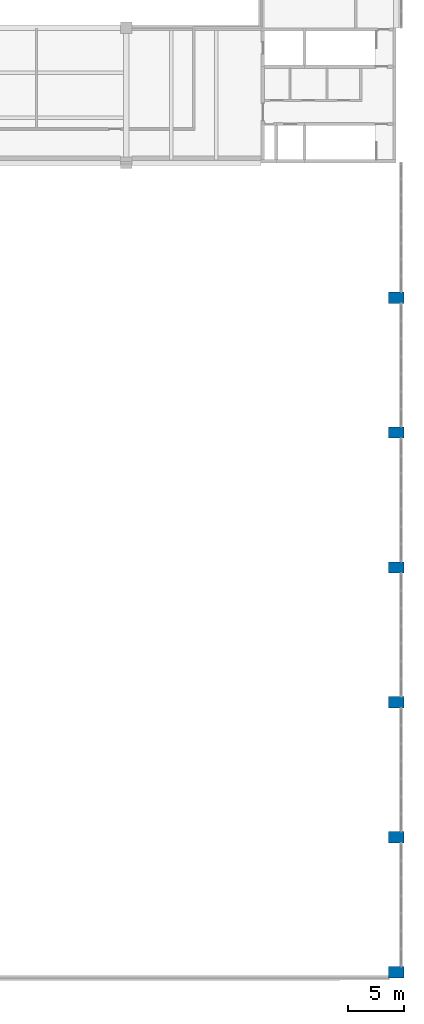
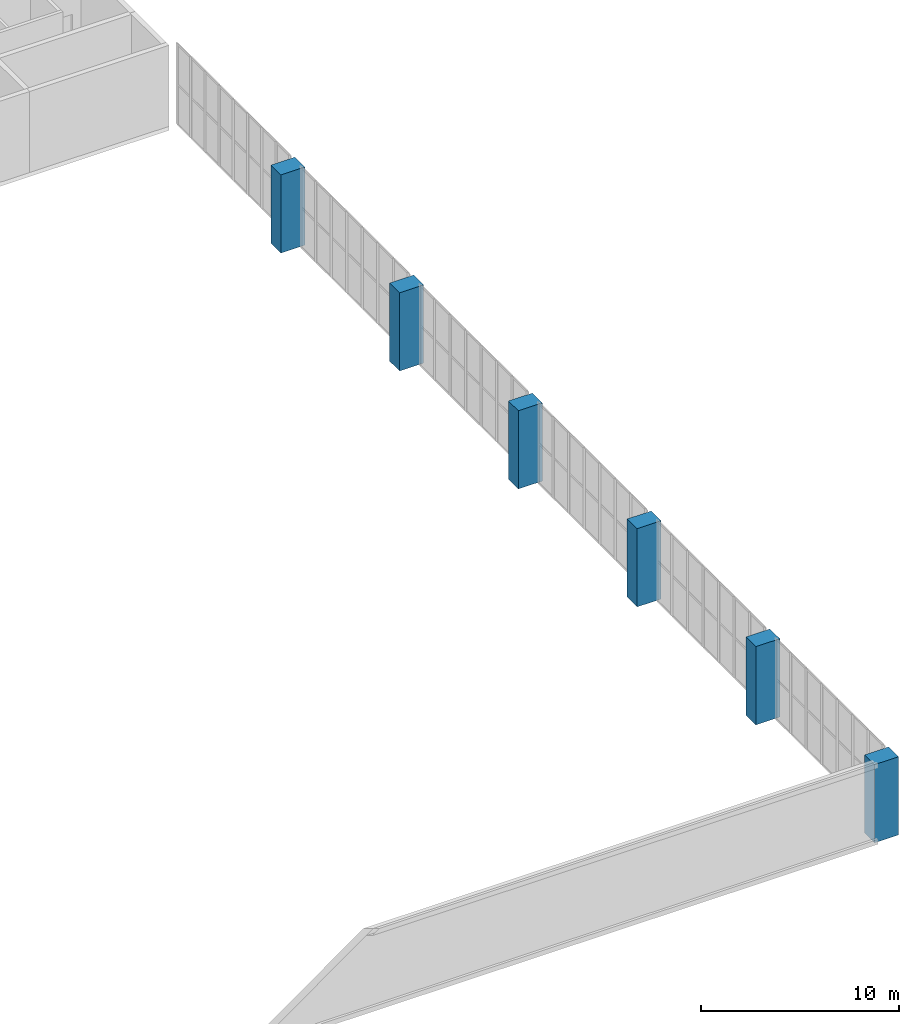
# One storey, part 3 of 69: 6 columns.
"""IFC4 building model written with IfcOpenShell, lengths in metres."""

from ifc_helpers import new_model, si_unit, direction, frame, origin, origin_2d, place, context, subcontext, project, spatial, rectangle, extrude, material, material_profile, profile_set, type_object, element, save


model = new_model("IFC4")

# Units and contexts
model_context = context("Model", 3, precision=1e-05, world=origin(), true_north=direction((0.0, 1.0)))
body_context = subcontext(model_context, "Body", "Model", "MODEL_VIEW")
ifc_project = project(units=[si_unit("LENGTHUNIT", "METRE"), si_unit("AREAUNIT", "SQUARE_METRE"), si_unit("VOLUMEUNIT", "CUBIC_METRE"), si_unit("PLANEANGLEUNIT", "RADIAN"), si_unit("MASSUNIT", "GRAM", prefix="KILO")], contexts=[model_context])

# Site, building, storey
site_placement = place(None, origin())
site = spatial("IfcSite", under=ifc_project, at=site_placement, CompositionType="ELEMENT")
building_placement = place(site_placement, origin())
building = spatial("IfcBuilding", under=site, at=building_placement, Name="Lilac Gate Convention Centre", CompositionType="ELEMENT")
storey_placement = place(building_placement, frame((0.0, 0.0, 12.0)))
storey = spatial("IfcBuildingStorey", under=building, at=storey_placement, Name="L02", CompositionType="ELEMENT", Elevation=12.0)

# Columns
ifc_material = material(Name="Concrete C40", Category="concrete")
ifc_material_profile = material_profile(ifc_material, rectangle(XDim=1.39990234375, YDim=1.0, at=origin_2d()), Name="RC 1400x1000")
ifc_profile_set = profile_set([ifc_material_profile], Name="Concrete C40")
column_type = type_object("IfcColumnType", Name="RC hall column 1400x1000 C40", PredefinedType="COLUMN", material=ifc_profile_set)
for number, where, z_axis, x_axis, name in (
    (1, (90.0, 30.0, 0.0), (0.0, 0.0, 1.0), (1.0, 0.0, 0.0), "C2 L02 at 8/A"),
    (2, (90.0, 42.0, 0.0), (0.0, 0.0, 1.0), (1.0, 0.0, 0.0), "C2 L02 at 8/B"),
    (3, (90.0, 54.0, 0.0), (0.0, 0.0, 1.0), (1.0, 0.0, 0.0), "C2 L02 at 8/C"),
    (4, (90.0, 66.0, 0.0), (0.0, 0.0, 1.0), (1.0, 0.0, 0.0), "C2 L02 at 8/D"),
    (5, (90.0, 78.0, 0.0), (0.0, 0.0, 1.0), (1.0, 0.0, 0.0), "C2 L02 at 8/E"),
    (6, (90.0, 90.0, 0.0), (0.0, 0.0, 1.0), (1.0, 0.0, 0.0), "C2 L02 at 8/F"),
):
    element("IfcColumn", number, at=place(storey_placement, frame(where, z_axis=z_axis, x_axis=x_axis)), inside=storey, type_object=column_type, Name=name, PredefinedType="COLUMN", context=body_context, shape_type="SweptSolid", body=[
        extrude(rectangle(XDim=1.39990234375, YDim=1.0, at=origin_2d()), origin(), (0.0, 0.0, 1.0), 4.824951171875),
    ])

save(model, "model.ifc")
